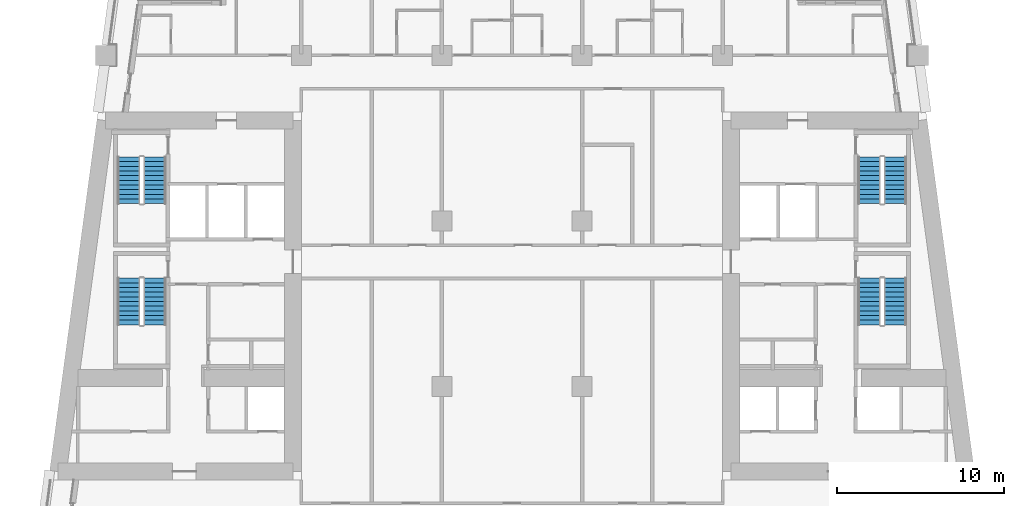
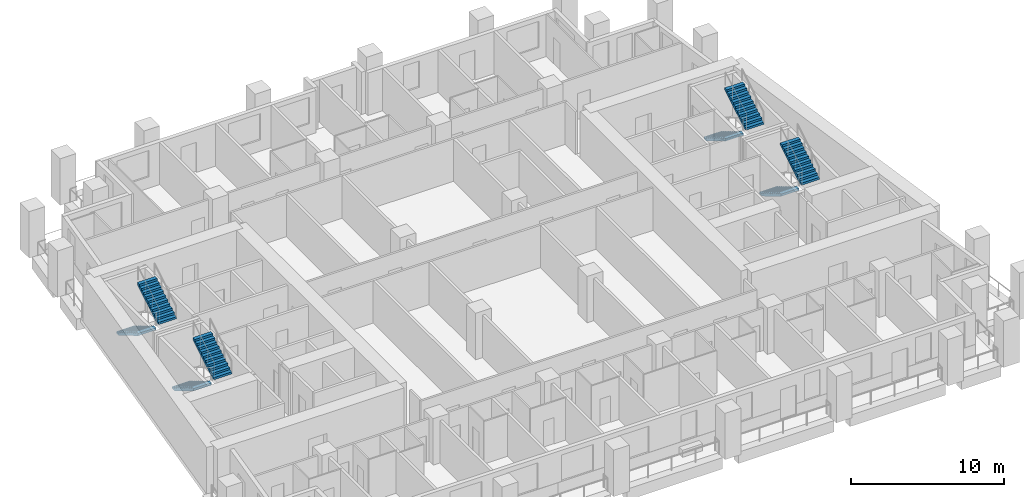
# One storey, part 9 of 14: 8 stair flights, 4 elements without a shape of their own.
"""IFC4 building model written with IfcOpenShell, lengths in metres."""

from ifc_helpers import new_model, si_unit, direction, frame, origin, place, context, subcontext, project, spatial, polyline, outline, extrude, material, type_object, element, aggregate, save


model = new_model("IFC4")

# Units and contexts
model_context = context("Model", 3, precision=1e-05, world=origin(), true_north=direction((0.0, 1.0)))
body_context = subcontext(model_context, "Body", "Model", "MODEL_VIEW")
ifc_project = project(units=[si_unit("LENGTHUNIT", "METRE"), si_unit("AREAUNIT", "SQUARE_METRE"), si_unit("VOLUMEUNIT", "CUBIC_METRE"), si_unit("PLANEANGLEUNIT", "RADIAN"), si_unit("MASSUNIT", "GRAM", prefix="KILO")], contexts=[model_context])

# Site, building, storey
site_placement = place(None, origin())
site = spatial("IfcSite", under=ifc_project, at=site_placement, CompositionType="ELEMENT")
building_placement = place(site_placement, origin())
building = spatial("IfcBuilding", under=site, at=building_placement, Name="Candeia Pilgrim Tower and Theatre", CompositionType="ELEMENT")
storey_placement = place(building_placement, frame((0.0, 0.0, 124.300048828125)))
storey = spatial("IfcBuildingStorey", under=building, at=storey_placement, Name="L29", CompositionType="ELEMENT", Elevation=124.300048828125)

# Stair, stair flights
ifc_material = material(Name="Concrete C40/50", Category="concrete")
stair_type = type_object("IfcStairType", Name="ST-TWR dog-leg escape stair", PredefinedType="HALF_TURN_STAIR", material=ifc_material)
stair_1_placement = place(storey_placement, origin())
stair_1 = element("IfcStair", 1, at=stair_1_placement, inside=storey, type_object=stair_type, Name="L29 Escape stair ST1", PredefinedType="HALF_TURN_STAIR")
stair_flight_type = type_object("IfcStairFlightType", Name="SFL-RC stair flight", PredefinedType="STRAIGHT", material=ifc_material)
stair_flight_1_placement = place(storey_placement, frame((90.47705078125, 122.47509765625, 0.0), z_axis=(0.0, 0.0, 1.0), x_axis=(0.0, -1.0, 0.0)))
stair_flight_1 = element("IfcStairFlight", 2, at=stair_flight_1_placement, type_object=stair_flight_type, Name="ST1 flight 1", NumberOfRisers=11, NumberOfTreads=10, PredefinedType="STRAIGHT", RiserHeight=0.168181818, TreadLength=0.28, context=body_context, shape_type="SweptSolid", body=[
    extrude(outline(polyline([(0.0, 0.0), (0.0, 0.168212890625), (0.280029296875, 0.168212890625), (0.280029296875, 0.33642578125), (0.56005859375, 0.33642578125), (0.56005859375, 0.504638671875), (0.840087890625, 0.504638671875), (0.840087890625, 0.672607421875), (1.1201171875, 0.672607421875), (1.1201171875, 0.8408203125), (1.39990234375, 0.8408203125), (1.39990234375, 1.009033203125), (1.679931640625, 1.009033203125), (1.679931640625, 1.17724609375), (1.9599609375, 1.17724609375), (1.9599609375, 1.345458984375), (2.239990234375, 1.345458984375), (2.239990234375, 1.513671875), (2.52001953125, 1.513671875), (2.52001953125, 1.681884765625), (2.800048828125, 1.681884765625), (2.800048828125, 1.85009765625), (2.800048828125, 1.5068359375), (0.291015625, 0.0), (0.0, 0.0)])), frame((0.0, 0.675048828125, 0.0), z_axis=(0.0, -1.0, 0.0), x_axis=(1.0, 0.0, 0.0)), (0.0, 0.0, 1.0), 1.35009765625),
])
stair_flight_2_placement = place(storey_placement, frame((92.027099609375, 119.675048828125, 1.849853515625), z_axis=(0.0, 0.0, 1.0), x_axis=(0.0, 1.0, 0.0)))
stair_flight_2 = element("IfcStairFlight", 3, at=stair_flight_2_placement, type_object=stair_flight_type, Name="ST1 flight 2", NumberOfRisers=11, NumberOfTreads=10, PredefinedType="STRAIGHT", RiserHeight=0.168181818, TreadLength=0.28, context=body_context, shape_type="SweptSolid", body=[
    extrude(outline(polyline([(0.0, 0.0), (0.0, 0.168212890625), (0.280029296875, 0.168212890625), (0.280029296875, 0.33642578125), (0.56005859375, 0.33642578125), (0.56005859375, 0.504638671875), (0.840087890625, 0.504638671875), (0.840087890625, 0.672607421875), (1.1201171875, 0.672607421875), (1.1201171875, 0.8408203125), (1.39990234375, 0.8408203125), (1.39990234375, 1.009033203125), (1.679931640625, 1.009033203125), (1.679931640625, 1.17724609375), (1.9599609375, 1.17724609375), (1.9599609375, 1.345458984375), (2.239990234375, 1.345458984375), (2.239990234375, 1.513671875), (2.52001953125, 1.513671875), (2.52001953125, 1.681884765625), (2.800048828125, 1.681884765625), (2.800048828125, 1.85009765625), (2.800048828125, 1.5068359375), (0.291015625, 0.0), (0.0, 0.0)])), frame((0.0, 0.675048828125, 0.0), z_axis=(0.0, -1.0, 0.0), x_axis=(1.0, 0.0, 0.0)), (0.0, 0.0, 1.0), 1.35009765625),
])
aggregate(stair_1, [stair_flight_1, stair_flight_2])

stair_2_placement = place(storey_placement, origin())
stair_2 = element("IfcStair", 4, at=stair_2_placement, inside=storey, type_object=stair_type, Name="L29 Escape stair ST2", PredefinedType="HALF_TURN_STAIR")
stair_flight_3_placement = place(storey_placement, frame((90.47705078125, 129.72509765625, 0.0), z_axis=(0.0, 0.0, 1.0), x_axis=(0.0, -1.0, 0.0)))
stair_flight_3 = element("IfcStairFlight", 5, at=stair_flight_3_placement, type_object=stair_flight_type, Name="ST2 flight 1", NumberOfRisers=11, NumberOfTreads=10, PredefinedType="STRAIGHT", RiserHeight=0.168181818, TreadLength=0.28, context=body_context, shape_type="SweptSolid", body=[
    extrude(outline(polyline([(0.0, 0.0), (0.0, 0.168212890625), (0.280029296875, 0.168212890625), (0.280029296875, 0.33642578125), (0.56005859375, 0.33642578125), (0.56005859375, 0.504638671875), (0.840087890625, 0.504638671875), (0.840087890625, 0.672607421875), (1.1201171875, 0.672607421875), (1.1201171875, 0.8408203125), (1.39990234375, 0.8408203125), (1.39990234375, 1.009033203125), (1.679931640625, 1.009033203125), (1.679931640625, 1.17724609375), (1.9599609375, 1.17724609375), (1.9599609375, 1.345458984375), (2.239990234375, 1.345458984375), (2.239990234375, 1.513671875), (2.52001953125, 1.513671875), (2.52001953125, 1.681884765625), (2.800048828125, 1.681884765625), (2.800048828125, 1.85009765625), (2.800048828125, 1.5068359375), (0.291015625, 0.0), (0.0, 0.0)])), frame((0.0, 0.675048828125, 0.0), z_axis=(0.0, -1.0, 0.0), x_axis=(1.0, 0.0, 0.0)), (0.0, 0.0, 1.0), 1.35009765625),
])
stair_flight_4_placement = place(storey_placement, frame((92.027099609375, 126.925048828125, 1.849853515625), z_axis=(0.0, 0.0, 1.0), x_axis=(0.0, 1.0, 0.0)))
stair_flight_4 = element("IfcStairFlight", 6, at=stair_flight_4_placement, type_object=stair_flight_type, Name="ST2 flight 2", NumberOfRisers=11, NumberOfTreads=10, PredefinedType="STRAIGHT", RiserHeight=0.168181818, TreadLength=0.28, context=body_context, shape_type="SweptSolid", body=[
    extrude(outline(polyline([(0.0, 0.0), (0.0, 0.168212890625), (0.280029296875, 0.168212890625), (0.280029296875, 0.33642578125), (0.56005859375, 0.33642578125), (0.56005859375, 0.504638671875), (0.840087890625, 0.504638671875), (0.840087890625, 0.672607421875), (1.1201171875, 0.672607421875), (1.1201171875, 0.8408203125), (1.39990234375, 0.8408203125), (1.39990234375, 1.009033203125), (1.679931640625, 1.009033203125), (1.679931640625, 1.17724609375), (1.9599609375, 1.17724609375), (1.9599609375, 1.345458984375), (2.239990234375, 1.345458984375), (2.239990234375, 1.513671875), (2.52001953125, 1.513671875), (2.52001953125, 1.681884765625), (2.800048828125, 1.681884765625), (2.800048828125, 1.85009765625), (2.800048828125, 1.5068359375), (0.291015625, 0.0), (0.0, 0.0)])), frame((0.0, 0.675048828125, 0.0), z_axis=(0.0, -1.0, 0.0), x_axis=(1.0, 0.0, 0.0)), (0.0, 0.0, 1.0), 1.35009765625),
])
aggregate(stair_2, [stair_flight_3, stair_flight_4])

stair_3_placement = place(storey_placement, origin())
stair_3 = element("IfcStair", 7, at=stair_3_placement, inside=storey, type_object=stair_type, Name="L29 Escape stair ST3", PredefinedType="HALF_TURN_STAIR")
stair_flight_5_placement = place(storey_placement, frame((134.77294921875, 122.47509765625, 0.0), z_axis=(0.0, 0.0, 1.0), x_axis=(0.0, -1.0, 0.0)))
stair_flight_5 = element("IfcStairFlight", 8, at=stair_flight_5_placement, type_object=stair_flight_type, Name="ST3 flight 1", NumberOfRisers=11, NumberOfTreads=10, PredefinedType="STRAIGHT", RiserHeight=0.168181818, TreadLength=0.28, context=body_context, shape_type="SweptSolid", body=[
    extrude(outline(polyline([(0.0, 0.0), (0.0, 0.168212890625), (0.280029296875, 0.168212890625), (0.280029296875, 0.33642578125), (0.56005859375, 0.33642578125), (0.56005859375, 0.504638671875), (0.840087890625, 0.504638671875), (0.840087890625, 0.672607421875), (1.1201171875, 0.672607421875), (1.1201171875, 0.8408203125), (1.39990234375, 0.8408203125), (1.39990234375, 1.009033203125), (1.679931640625, 1.009033203125), (1.679931640625, 1.17724609375), (1.9599609375, 1.17724609375), (1.9599609375, 1.345458984375), (2.239990234375, 1.345458984375), (2.239990234375, 1.513671875), (2.52001953125, 1.513671875), (2.52001953125, 1.681884765625), (2.800048828125, 1.681884765625), (2.800048828125, 1.85009765625), (2.800048828125, 1.5068359375), (0.291015625, 0.0), (0.0, 0.0)])), frame((0.0, 0.675048828125, 0.0), z_axis=(0.0, -1.0, 0.0), x_axis=(1.0, 0.0, 0.0)), (0.0, 0.0, 1.0), 1.35009765625),
])
stair_flight_6_placement = place(storey_placement, frame((136.322998046875, 119.675048828125, 1.849853515625), z_axis=(0.0, 0.0, 1.0), x_axis=(0.0, 1.0, 0.0)))
stair_flight_6 = element("IfcStairFlight", 9, at=stair_flight_6_placement, type_object=stair_flight_type, Name="ST3 flight 2", NumberOfRisers=11, NumberOfTreads=10, PredefinedType="STRAIGHT", RiserHeight=0.168181818, TreadLength=0.28, context=body_context, shape_type="SweptSolid", body=[
    extrude(outline(polyline([(0.0, 0.0), (0.0, 0.168212890625), (0.280029296875, 0.168212890625), (0.280029296875, 0.33642578125), (0.56005859375, 0.33642578125), (0.56005859375, 0.504638671875), (0.840087890625, 0.504638671875), (0.840087890625, 0.672607421875), (1.1201171875, 0.672607421875), (1.1201171875, 0.8408203125), (1.39990234375, 0.8408203125), (1.39990234375, 1.009033203125), (1.679931640625, 1.009033203125), (1.679931640625, 1.17724609375), (1.9599609375, 1.17724609375), (1.9599609375, 1.345458984375), (2.239990234375, 1.345458984375), (2.239990234375, 1.513671875), (2.52001953125, 1.513671875), (2.52001953125, 1.681884765625), (2.800048828125, 1.681884765625), (2.800048828125, 1.85009765625), (2.800048828125, 1.5068359375), (0.291015625, 0.0), (0.0, 0.0)])), frame((0.0, 0.675048828125, 0.0), z_axis=(0.0, -1.0, 0.0), x_axis=(1.0, 0.0, 0.0)), (0.0, 0.0, 1.0), 1.35009765625),
])
aggregate(stair_3, [stair_flight_5, stair_flight_6])

stair_4_placement = place(storey_placement, origin())
stair_4 = element("IfcStair", 10, at=stair_4_placement, inside=storey, type_object=stair_type, Name="L29 Escape stair ST4", PredefinedType="HALF_TURN_STAIR")
stair_flight_7_placement = place(storey_placement, frame((134.77294921875, 129.72509765625, 0.0), z_axis=(0.0, 0.0, 1.0), x_axis=(0.0, -1.0, 0.0)))
stair_flight_7 = element("IfcStairFlight", 11, at=stair_flight_7_placement, type_object=stair_flight_type, Name="ST4 flight 1", NumberOfRisers=11, NumberOfTreads=10, PredefinedType="STRAIGHT", RiserHeight=0.168181818, TreadLength=0.28, context=body_context, shape_type="SweptSolid", body=[
    extrude(outline(polyline([(0.0, 0.0), (0.0, 0.168212890625), (0.280029296875, 0.168212890625), (0.280029296875, 0.33642578125), (0.56005859375, 0.33642578125), (0.56005859375, 0.504638671875), (0.840087890625, 0.504638671875), (0.840087890625, 0.672607421875), (1.1201171875, 0.672607421875), (1.1201171875, 0.8408203125), (1.39990234375, 0.8408203125), (1.39990234375, 1.009033203125), (1.679931640625, 1.009033203125), (1.679931640625, 1.17724609375), (1.9599609375, 1.17724609375), (1.9599609375, 1.345458984375), (2.239990234375, 1.345458984375), (2.239990234375, 1.513671875), (2.52001953125, 1.513671875), (2.52001953125, 1.681884765625), (2.800048828125, 1.681884765625), (2.800048828125, 1.85009765625), (2.800048828125, 1.5068359375), (0.291015625, 0.0), (0.0, 0.0)])), frame((0.0, 0.675048828125, 0.0), z_axis=(0.0, -1.0, 0.0), x_axis=(1.0, 0.0, 0.0)), (0.0, 0.0, 1.0), 1.35009765625),
])
stair_flight_8_placement = place(storey_placement, frame((136.322998046875, 126.925048828125, 1.849853515625), z_axis=(0.0, 0.0, 1.0), x_axis=(0.0, 1.0, 0.0)))
stair_flight_8 = element("IfcStairFlight", 12, at=stair_flight_8_placement, type_object=stair_flight_type, Name="ST4 flight 2", NumberOfRisers=11, NumberOfTreads=10, PredefinedType="STRAIGHT", RiserHeight=0.168181818, TreadLength=0.28, context=body_context, shape_type="SweptSolid", body=[
    extrude(outline(polyline([(0.0, 0.0), (0.0, 0.168212890625), (0.280029296875, 0.168212890625), (0.280029296875, 0.33642578125), (0.56005859375, 0.33642578125), (0.56005859375, 0.504638671875), (0.840087890625, 0.504638671875), (0.840087890625, 0.672607421875), (1.1201171875, 0.672607421875), (1.1201171875, 0.8408203125), (1.39990234375, 0.8408203125), (1.39990234375, 1.009033203125), (1.679931640625, 1.009033203125), (1.679931640625, 1.17724609375), (1.9599609375, 1.17724609375), (1.9599609375, 1.345458984375), (2.239990234375, 1.345458984375), (2.239990234375, 1.513671875), (2.52001953125, 1.513671875), (2.52001953125, 1.681884765625), (2.800048828125, 1.681884765625), (2.800048828125, 1.85009765625), (2.800048828125, 1.5068359375), (0.291015625, 0.0), (0.0, 0.0)])), frame((0.0, 0.675048828125, 0.0), z_axis=(0.0, -1.0, 0.0), x_axis=(1.0, 0.0, 0.0)), (0.0, 0.0, 1.0), 1.35009765625),
])
aggregate(stair_4, [stair_flight_7, stair_flight_8])

save(model, "model.ifc")
